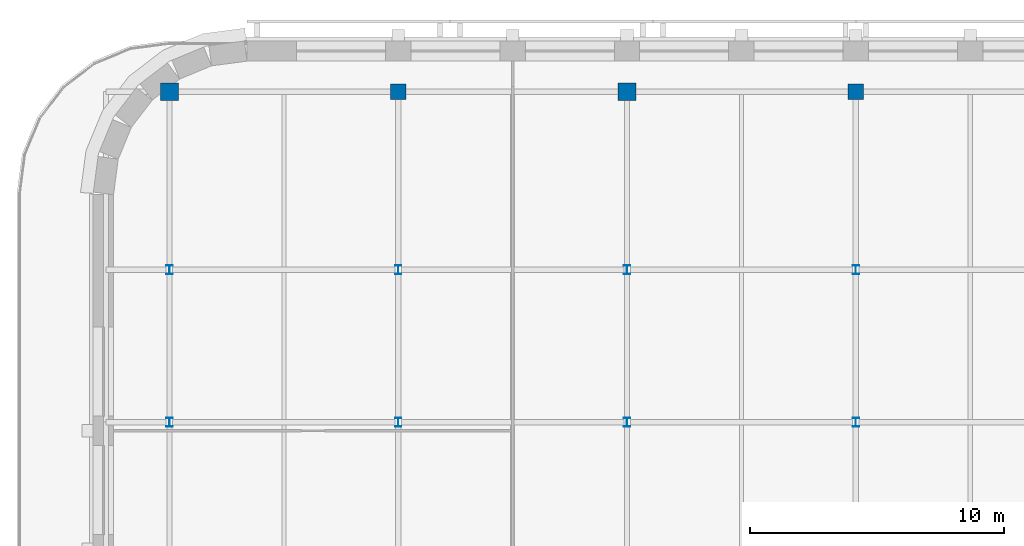
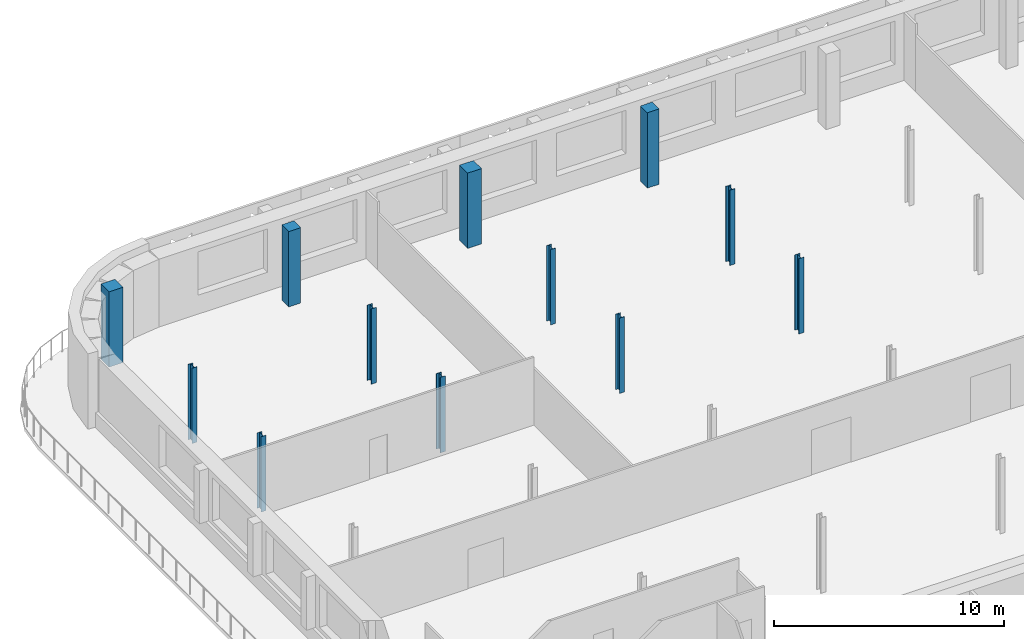
# One storey, part 3 of 13: 12 columns.
"""IFC4 building model written with IfcOpenShell, lengths in metres."""

from ifc_helpers import new_model, si_unit, direction, frame, origin, origin_2d, place, context, subcontext, project, spatial, rectangle, i_section, extrude, material, material_profile, profile_set, type_object, element, save


model = new_model("IFC4")

# Units and contexts
model_context = context("Model", 3, precision=1e-05, world=origin(), true_north=direction((0.0, 1.0)))
body_context = subcontext(model_context, "Body", "Model", "MODEL_VIEW")
ifc_project = project(units=[si_unit("LENGTHUNIT", "METRE"), si_unit("AREAUNIT", "SQUARE_METRE"), si_unit("VOLUMEUNIT", "CUBIC_METRE"), si_unit("PLANEANGLEUNIT", "RADIAN"), si_unit("MASSUNIT", "GRAM", prefix="KILO")], contexts=[model_context])

# Site, building, storey
site_placement = place(None, origin())
site = spatial("IfcSite", under=ifc_project, at=site_placement, CompositionType="ELEMENT")
building_placement = place(site_placement, origin())
building = spatial("IfcBuilding", under=site, at=building_placement, Name="Zellij Exchange Tower", CompositionType="ELEMENT")
storey_placement = place(building_placement, frame((0.0, 0.0, 292.5)))
storey = spatial("IfcBuildingStorey", under=building, at=storey_placement, Name="L69", CompositionType="ELEMENT", Elevation=292.5)

# Columns
ifc_material_1 = material(Name="Concrete C50/60", Category="concrete")
ifc_material_profile_1 = material_profile(ifc_material_1, rectangle(XDim=0.60009765625, YDim=0.60009765625, at=origin_2d()), Name="STR-COLUMN RC600x600 C50/60")
ifc_profile_set_1 = profile_set([ifc_material_profile_1], Name="Concrete C50/60")
column_type_1 = type_object("IfcColumnType", Name="STR-COLUMN RC600x600 C50/60", PredefinedType="COLUMN", material=ifc_profile_set_1)
for number, where, z_axis, x_axis, name in (
    (1, (-18.0, 35.0, 0.0), (0.0, 0.0, 1.0), (1.0, 0.0, 0.0), "C13"),
    (2, (0.0, 35.0, 0.0), (0.0, 0.0, 1.0), (1.0, 0.0, 0.0), "C13"),
):
    element("IfcColumn", number, at=place(storey_placement, frame(where, z_axis=z_axis, x_axis=x_axis)), inside=storey, type_object=column_type_1, Name=name, PredefinedType="COLUMN", context=body_context, shape_type="SweptSolid", body=[
        extrude(rectangle(XDim=0.60009765625, YDim=0.60009765625, at=origin_2d()), origin(), (0.0, 0.0, 1.0), 4.0),
    ])
ifc_material_2 = material(Name="Structural steel ASTM A992 Gr 50", Category="steel")
ifc_material_profile_2 = material_profile(ifc_material_2, i_section(OverallWidth=0.25390625, OverallDepth=0.35302734375, WebThickness=0.009521484375, FlangeThickness=0.016357421875, at=origin_2d()), Name="W14x61")
ifc_profile_set_2 = profile_set([ifc_material_profile_2], Name="Structural steel ASTM A992 Gr 50")
column_type_2 = type_object("IfcColumnType", Name="STR-COLUMN W14x61", PredefinedType="COLUMN", material=ifc_profile_set_2)
for number, where, z_axis, x_axis, name in (
    (3, (-27.0, 22.0, 0.0), (0.0, 0.0, 1.0), (1.0, 0.0, 0.0), "C6"),
    (4, (-18.0, 22.0, 0.0), (0.0, 0.0, 1.0), (1.0, 0.0, 0.0), "C6"),
    (5, (-9.0, 22.0, 0.0), (0.0, 0.0, 1.0), (1.0, 0.0, 0.0), "C6"),
    (6, (0.0, 22.0, 0.0), (0.0, 0.0, 1.0), (1.0, 0.0, 0.0), "C6"),
    (7, (-27.0, 28.0, 0.0), (0.0, 0.0, 1.0), (1.0, 0.0, 0.0), "C6"),
    (8, (-18.0, 28.0, 0.0), (0.0, 0.0, 1.0), (1.0, 0.0, 0.0), "C6"),
    (9, (-9.0, 28.0, 0.0), (0.0, 0.0, 1.0), (1.0, 0.0, 0.0), "C6"),
    (10, (0.0, 28.0, 0.0), (0.0, 0.0, 1.0), (1.0, 0.0, 0.0), "C6"),
):
    element("IfcColumn", number, at=place(storey_placement, frame(where, z_axis=z_axis, x_axis=x_axis)), inside=storey, type_object=column_type_2, Name=name, PredefinedType="COLUMN", context=body_context, shape_type="SweptSolid", body=[
        extrude(i_section(OverallWidth=0.25390625, OverallDepth=0.35302734375, WebThickness=0.009521484375, FlangeThickness=0.016357421875, at=origin_2d()), origin(), (0.0, 0.0, 1.0), 4.0),
    ])
ifc_material_profile_3 = material_profile(ifc_material_1, rectangle(XDim=0.699951171875, YDim=0.699951171875, at=origin_2d()), Name="STR-MEGA COLUMN RC700x700 C50/60")
ifc_profile_set_3 = profile_set([ifc_material_profile_3], Name="Concrete C50/60")
column_type_3 = type_object("IfcColumnType", Name="STR-MEGA COLUMN RC700x700 C50/60", PredefinedType="COLUMN", material=ifc_profile_set_3)
for number, where, z_axis, x_axis, name in (
    (11, (-27.0, 35.0, 0.0), (0.0, 0.0, 1.0), (1.0, 0.0, 0.0), "MC9"),
    (12, (-9.0, 35.0, 0.0), (0.0, 0.0, 1.0), (1.0, 0.0, 0.0), "MC9"),
):
    element("IfcColumn", number, at=place(storey_placement, frame(where, z_axis=z_axis, x_axis=x_axis)), inside=storey, type_object=column_type_3, Name=name, PredefinedType="COLUMN", context=body_context, shape_type="SweptSolid", body=[
        extrude(rectangle(XDim=0.699951171875, YDim=0.699951171875, at=origin_2d()), origin(), (0.0, 0.0, 1.0), 4.0),
    ])

save(model, "model.ifc")
